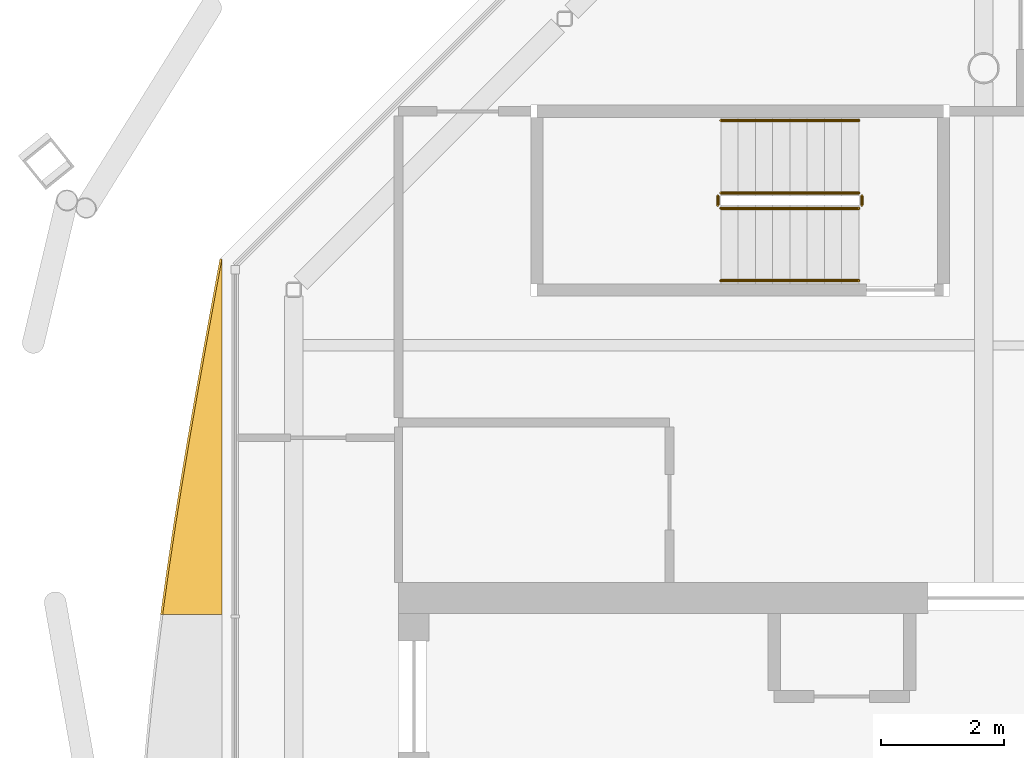
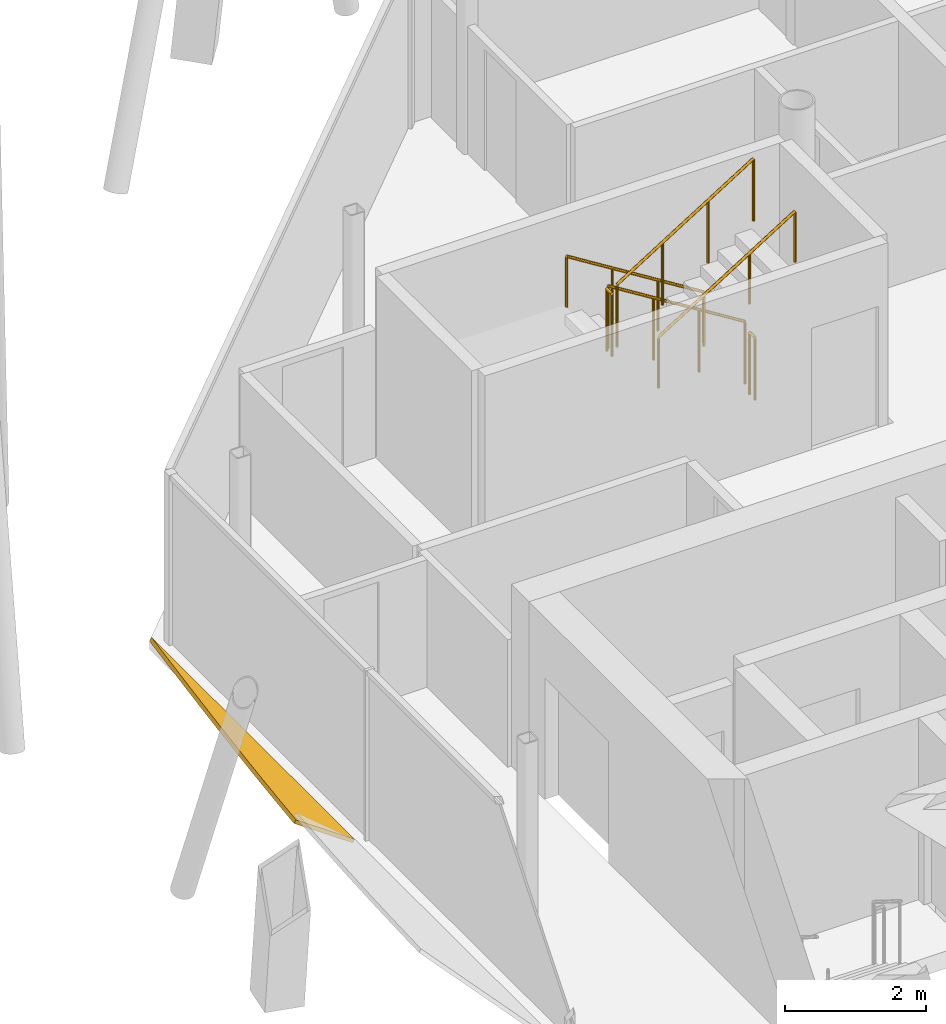
# One storey, part 13 of 14: 6 railings, 1 shading device.
"""IFC4 building model written with IfcOpenShell, lengths in metres."""

import ifcopenshell
import ifcopenshell.guid

model = None  # the IFC model being written
_history = None  # IfcOwnerHistory: only IFC2X3 demands one
_inside = {}  # id of a spatial element -> (the spatial element, [elements in it])
_under = {}  # id of a project, library or spatial element -> (it, [spatial elements below it])
_declared = {}  # id of a project -> (the project, [libraries it declares])
_typed = {}  # id of a type object -> (the type object, [elements of that type])
_made_of = {}  # id of a material, layer set ... -> (it, [elements and type objects made of it])


def new_model(schema):
    """Start an empty IFC model of exactly this schema.

    Asked for "IFC4X3", IfcOpenShell would pick the latest addendum, in which some entities
    have other attributes; the version numbers below select the first issue.
    IFC2X3 requires an IfcOwnerHistory on every rooted entity: one is made here for all.
    """
    global model, _history
    if schema == "IFC4X3":
        model = ifcopenshell.file(schema_version=(4, 3, 0, 0))
    else:
        model = ifcopenshell.file(schema=schema)
    _inside.clear()
    _under.clear()
    _declared.clear()
    _typed.clear()
    _made_of.clear()
    _history = None
    if model.schema == "IFC2X3":
        org = make("IfcOrganization", Name="unknown")
        user = make(
            "IfcPersonAndOrganization",
            ThePerson=make("IfcPerson", FamilyName="unknown"),
            TheOrganization=org,
        )
        app = make(
            "IfcApplication",
            ApplicationDeveloper=org,
            Version="unknown",
            ApplicationFullName="unknown",
            ApplicationIdentifier="unknown",
        )
        _history = make(
            "IfcOwnerHistory",
            OwningUser=user,
            OwningApplication=app,
            ChangeAction="ADDED",
            CreationDate=0,
        )
    return model


def make(cls, **values):
    """One entity of the class cls with the attributes given. An attribute that is None is left unset."""
    return model.create_entity(
        cls, **{name: value for name, value in values.items() if value is not None}
    )


def rooted(cls, **values):
    """An entity with a GlobalId (a new one), such as an element, a storey or a relation."""
    return make(cls, GlobalId=ifcopenshell.guid.new(), OwnerHistory=_history, **values)


def si_unit(unit_type, name, prefix=None):
    """IfcSIUnit, for example si_unit("LENGTHUNIT", "METRE", prefix="MILLI")."""
    return make("IfcSIUnit", UnitType=unit_type, Prefix=prefix, Name=name)


def assignment(units):
    """IfcUnitAssignment: the units of a project."""
    return None if units is None else make("IfcUnitAssignment", Units=units)


def point(xyz):
    """IfcCartesianPoint."""
    return None if xyz is None else make("IfcCartesianPoint", Coordinates=xyz)


def direction(xyz):
    """IfcDirection."""
    return None if xyz is None else make("IfcDirection", DirectionRatios=xyz)


def frame(location, z_axis=None, x_axis=None):
    """IfcAxis2Placement3D, a coordinate frame: its origin and axes. An axis left out is left unset."""
    return make(
        "IfcAxis2Placement3D",
        Location=point(location),
        Axis=direction(z_axis),
        RefDirection=direction(x_axis),
    )


def frame_2d(location, x_axis=None):
    """IfcAxis2Placement2D, a coordinate frame in the plane: its origin and x axis."""
    return make(
        "IfcAxis2Placement2D", Location=point(location), RefDirection=direction(x_axis)
    )


def origin():
    """The frame at (0, 0, 0) with its axes left unset."""
    return frame((0.0, 0.0, 0.0))


def origin_2d():
    """The frame at (0, 0) in the plane with its x axis left unset."""
    return frame_2d((0.0, 0.0))


def place(relative_to, where):
    """IfcLocalPlacement: puts the frame where relative to a parent placement (None: the world)."""
    return make(
        "IfcLocalPlacement", PlacementRelTo=relative_to, RelativePlacement=where
    )


def context(
    kind, dimensions, precision=None, world=None, true_north=None, identifier=None
):
    """IfcGeometricRepresentationContext, for example the 3D "Model" context."""
    return make(
        "IfcGeometricRepresentationContext",
        ContextIdentifier=identifier,
        ContextType=kind,
        CoordinateSpaceDimension=dimensions,
        Precision=precision,
        WorldCoordinateSystem=world,
        TrueNorth=true_north,
    )


def subcontext(parent, identifier, kind, view, scale=None):
    """IfcGeometricRepresentationSubContext, for example "Body" below "Model"."""
    return make(
        "IfcGeometricRepresentationSubContext",
        ContextIdentifier=identifier,
        ContextType=kind,
        ParentContext=parent,
        TargetScale=scale,
        TargetView=view,
    )


def project(units=None, contexts=None):
    """IfcProject with its units and contexts."""
    return rooted(
        "IfcProject",
        Name="project",
        RepresentationContexts=contexts,
        UnitsInContext=assignment(units),
    )


def spatial(cls, under=None, at=None, **own):
    """A site, building, storey or space (cls), placed at a placement, below another one or the project."""
    s = rooted(cls, ObjectPlacement=at, **own)
    if under is not None:
        _under.setdefault(under.id(), (under, []))[1].append(s)
    return s


def polyline(points):
    """IfcPolyline through the points."""
    return make("IfcPolyline", Points=[point(p) for p in points])


def profile(cls, at=None, kind="AREA", **sizes):
    """A parametric profile (cls). Its sizes go by their IFC names, for example OverallWidth=200.0."""
    return make(cls, ProfileType=kind, Position=at, **sizes)


def circle(**sizes):
    """IfcCircleProfileDef."""
    return profile("IfcCircleProfileDef", **sizes)


def outline(outer, holes=None, kind="AREA"):
    """IfcArbitraryClosedProfileDef: a profile drawn as a closed curve; with holes, ...WithVoids."""
    if holes is None:
        return make("IfcArbitraryClosedProfileDef", ProfileType=kind, OuterCurve=outer)
    return make(
        "IfcArbitraryProfileDefWithVoids",
        ProfileType=kind,
        OuterCurve=outer,
        InnerCurves=holes,
    )


def extrude(swept, where, along, depth):
    """IfcExtrudedAreaSolid: the profile swept, set in the frame where, extruded along a direction by depth."""
    return make(
        "IfcExtrudedAreaSolid",
        SweptArea=swept,
        Position=where,
        ExtrudedDirection=direction(along),
        Depth=depth,
    )


def shape(context_of_items, identifier, shape_type, items):
    """IfcShapeRepresentation: the items that make up one representation, for example the "Body"."""
    return make(
        "IfcShapeRepresentation",
        ContextOfItems=context_of_items,
        RepresentationIdentifier=identifier,
        RepresentationType=shape_type,
        Items=items,
    )


def material(Name=None, Category=None):
    """IfcMaterial."""
    return make("IfcMaterial", Name=Name, Category=Category)


def layer(
    of_material, thickness, ventilated=None, Name=None, Category=None, Priority=None
):
    """IfcMaterialLayer: one layer of a wall or slab, of a material (None: an air gap)."""
    return make(
        "IfcMaterialLayer",
        Material=of_material,
        LayerThickness=thickness,
        IsVentilated=ventilated,
        Name=Name,
        Category=Category,
        Priority=Priority,
    )


def layer_set(layers, Name=None):
    """IfcMaterialLayerSet."""
    return make("IfcMaterialLayerSet", MaterialLayers=layers, LayerSetName=Name)


def made_of(thing, what):
    """Note that an element or type object is made of a material, layer set ...; save() writes the relation."""
    if what is not None:
        _made_of.setdefault(what.id(), (what, []))[1].append(thing)
    return thing


def type_object(cls, material=None, **own):
    """A type object (cls), such as IfcWallType, which elements share."""
    return made_of(rooted(cls, **own), material)


def element(
    cls,
    number,
    at=None,
    inside=None,
    cuts=None,
    type_object=None,
    material=None,
    context=None,
    identifier="Body",
    shape_type=None,
    held_by="IfcProductDefinitionShape",
    body=None,
    shapes=None,
    **own,
):
    """One element of the class cls, such as IfcWall. Its Tag is "e" and its number.

    at: its placement. inside: the storey or other place that contains it. cuts: it is an
    opening in that element (IfcRelVoidsElement). A single representation is given by context,
    identifier, shape_type and body (its items); several are given by shapes. held_by: the class
    of the entity that holds the representations. save() writes the other relations.
    """
    e = rooted(cls, Tag="e%d" % number, ObjectPlacement=at, **own)
    if body is not None:
        shapes = [shape(context, identifier, shape_type, body)]
    if shapes is not None:
        e.Representation = make(held_by, Representations=shapes)
    if inside is not None:
        _inside.setdefault(inside.id(), (inside, []))[1].append(e)
    if cuts is not None:
        rooted(
            "IfcRelVoidsElement", RelatingBuildingElement=cuts, RelatedOpeningElement=e
        )
    if type_object is not None:
        _typed.setdefault(type_object.id(), (type_object, []))[1].append(e)
    return made_of(e, material)


def aggregate(whole, parts):
    """IfcRelAggregates: a whole, such as a stair, and the parts it consists of."""
    return rooted("IfcRelAggregates", RelatingObject=whole, RelatedObjects=parts)


def save(model, path):
    """Write the relations noted so far, then the file.

    IfcRelAggregates (storeys below a building ...), IfcRelContainedInSpatialStructure (elements
    in a storey), IfcRelDefinesByType, IfcRelAssociatesMaterial and IfcRelDeclares: one each for
    every whole, place, type object, material and project.
    """
    for whole, parts in _under.values():
        aggregate(whole, parts)
    for where, things in _inside.values():
        rooted(
            "IfcRelContainedInSpatialStructure",
            RelatedElements=things,
            RelatingStructure=where,
        )
    for kind, things in _typed.values():
        rooted("IfcRelDefinesByType", RelatedObjects=things, RelatingType=kind)
    for what, things in _made_of.values():
        rooted("IfcRelAssociatesMaterial", RelatedObjects=things, RelatingMaterial=what)
    for by, libraries in _declared.values():
        rooted("IfcRelDeclares", RelatingContext=by, RelatedDefinitions=libraries)
    model.write(path)


model = new_model("IFC4")

# Units and contexts
model_context = context("Model", 3, precision=1e-05, world=origin(), true_north=direction((0.0, 1.0)))
body_context = subcontext(model_context, "Body", "Model", "MODEL_VIEW")
ifc_project = project(units=[si_unit("LENGTHUNIT", "METRE"), si_unit("AREAUNIT", "SQUARE_METRE"), si_unit("VOLUMEUNIT", "CUBIC_METRE"), si_unit("PLANEANGLEUNIT", "RADIAN"), si_unit("MASSUNIT", "GRAM", prefix="KILO")], contexts=[model_context])

# Site, building, storey
site_placement = place(None, origin())
site = spatial("IfcSite", under=ifc_project, at=site_placement, CompositionType="ELEMENT")
building_placement = place(site_placement, origin())
building = spatial("IfcBuilding", under=site, at=building_placement, Name="Tskaro Facet Tower", CompositionType="ELEMENT")
storey_placement = place(building_placement, frame((0.0, 0.0, 287.85009765625)))
storey = spatial("IfcBuildingStorey", under=building, at=storey_placement, Name="L77", CompositionType="ELEMENT", Elevation=287.85009765625)

# Shading device
ifc_material_1 = material(Name="Bronze anodised aluminium 6063-T6", Category="aluminium")
ifc_layer = layer(ifc_material_1, 0.06005859375, Name="Bronze anodised aluminium 6063-T6")
ifc_layer_set = layer_set([ifc_layer], Name="Bronze anodised aluminium 6063-T6")
shading_device_type = type_object("IfcShadingDeviceType", Name="Bronze sun blade (FN1)", PredefinedType="USERDEFINED", material=ifc_layer_set)
shading_device_placement = place(storey_placement, frame((-12.365478515625, 5.89990234375, 0.049072265625), z_axis=(0.573434080901, 1.0882066e-05, 0.819251704144), x_axis=(6.240147e-06, -0.999999999941, 8.915151e-06)))
element("IfcShadingDevice", 1, at=shading_device_placement, inside=storey, type_object=shading_device_type, Name="Fin blade west 1", ObjectType="FIN", PredefinedType="USERDEFINED", context=body_context, shape_type="SweptSolid", body=[
    extrude(outline(polyline([(0.0, 0.0), (5.766601562158562, 0.0), (5.766601562816693, -1.1732857144683915), (5.045654296535432, -1.050760942561073), (4.3249511717461955, -0.9187557985066042), (3.6040039076347723, -0.7784903284621074), (2.8833007806633923, -0.6314446052759777), (2.162353515241339, -0.4785786484140657), (1.4416503900073954, -0.321512529279682), (0.7207031241473469, -0.1614662940299493), (0.0, 0.0)])), origin(), (0.0, 0.0, -1.0), 0.06005859375),
])

# Railings
ifc_material_2 = material(Name="Stainless steel", Category="steel")
railing_type_1 = type_object("IfcRailingType", Name="RL-GUARD-1100", PredefinedType="GUARDRAIL", material=ifc_material_2)
railing_1_placement = place(storey_placement, frame((-2.02490234375, 6.97509765625, 0.1748046875)))
element("IfcRailing", 2, at=railing_1_placement, inside=storey, type_object=railing_type_1, Name="L77 ST-3 stair guard 1", PredefinedType="GUARDRAIL", context=body_context, shape_type="SweptSolid", body=[
    extrude(circle(Radius=0.02392578125, at=origin_2d()), frame((0.0, 0.0, 1.076171875), z_axis=(-0.847972341737, 0.0, 0.530040477369), x_axis=(0.0, -1.0, 0.0)), (0.0, 0.0, 1.0), 2.6416015625),
    extrude(circle(Radius=0.02099609375, at=origin_2d()), origin(), (0.0, 0.0, 1.0), 1.052001953125),
    extrude(circle(Radius=0.02099609375, at=origin_2d()), frame((-0.74658203125, 0.0, 0.466796875)), (0.0, 0.0, 1.0), 1.052001953125),
    extrude(circle(Radius=0.02099609375, at=origin_2d()), frame((-1.493408203125, 0.0, 0.933349609375)), (0.0, 0.0, 1.0), 1.052001953125),
    extrude(circle(Radius=0.02099609375, at=origin_2d()), frame((-2.239990234375, 0.0, 1.400146484375)), (0.0, 0.0, 1.0), 1.052001953125),
])
railing_2_placement = place(storey_placement, frame((-4.31494140625, 6.925048828125, 1.574951171875)))
element("IfcRailing", 3, at=railing_2_placement, inside=storey, type_object=railing_type_1, Name="L77 ST-3 stair guard 2", PredefinedType="GUARDRAIL", context=body_context, shape_type="SweptSolid", body=[
    extrude(circle(Radius=0.02392578125, at=origin_2d()), frame((0.0, 0.0, 1.076171875), z_axis=(0.0, -1.0, 0.0), x_axis=(1.0, 0.0, 0.0)), (0.0, 0.0, 1.0), 0.150146484375),
    extrude(circle(Radius=0.02099609375, at=origin_2d()), origin(), (0.0, 0.0, 1.0), 1.052001953125),
    extrude(circle(Radius=0.02099609375, at=origin_2d()), frame((0.0, -0.150146484375, 0.0)), (0.0, 0.0, 1.0), 1.052001953125),
])
railing_3_placement = place(storey_placement, frame((-4.264892578125, 6.72509765625, 1.75)))
element("IfcRailing", 4, at=railing_3_placement, inside=storey, type_object=railing_type_1, Name="L77 ST-3 stair guard 3", PredefinedType="GUARDRAIL", context=body_context, shape_type="SweptSolid", body=[
    extrude(circle(Radius=0.02392578125, at=origin_2d()), frame((0.0, 0.0, 1.076171875), z_axis=(0.848013881152, 0.0, 0.529974015752), x_axis=(0.0, 1.0, 0.0)), (0.0, 0.0, 1.0), 2.641357421875),
    extrude(circle(Radius=0.02099609375, at=origin_2d()), origin(), (0.0, 0.0, 1.0), 1.052001953125),
    extrude(circle(Radius=0.02099609375, at=origin_2d()), frame((0.74658203125, 0.0, 0.466552734375)), (0.0, 0.0, 1.0), 1.052001953125),
    extrude(circle(Radius=0.02099609375, at=origin_2d()), frame((1.493408203125, 0.0, 0.933349609375)), (0.0, 0.0, 1.0), 1.052001953125),
    extrude(circle(Radius=0.02099609375, at=origin_2d()), frame((2.239990234375, 0.0, 1.39990234375)), (0.0, 0.0, 1.0), 1.052001953125),
])
railing_4_placement = place(storey_placement, frame((-1.97509765625, 6.925048828125, 0.0)))
element("IfcRailing", 5, at=railing_4_placement, inside=storey, type_object=railing_type_1, Name="L77 ST-3 stair guard 4", PredefinedType="GUARDRAIL", context=body_context, shape_type="SweptSolid", body=[
    extrude(circle(Radius=0.02392578125, at=origin_2d()), frame((0.0, 0.0, 1.076171875), z_axis=(0.0, -1.0, 0.0), x_axis=(1.0, 0.0, 0.0)), (0.0, 0.0, 1.0), 0.150146484375),
    extrude(circle(Radius=0.02099609375, at=origin_2d()), origin(), (0.0, 0.0, 1.0), 1.052001953125),
    extrude(circle(Radius=0.02099609375, at=origin_2d()), frame((0.0, -0.150146484375, 0.0)), (0.0, 0.0, 1.0), 1.052001953125),
])
railing_type_2 = type_object("IfcRailingType", Name="RL-HANDRAIL-900", PredefinedType="HANDRAIL", material=ifc_material_2)
railing_5_placement = place(storey_placement, frame((-2.02490234375, 8.14990234375, 0.1748046875)))
element("IfcRailing", 6, at=railing_5_placement, inside=storey, type_object=railing_type_2, Name="L77 ST-3 stair handrail 1", PredefinedType="HANDRAIL", context=body_context, shape_type="SweptSolid", body=[
    extrude(circle(Radius=0.02392578125, at=origin_2d()), frame((0.0, 0.0, 0.8759765625), z_axis=(-0.847972341737, 0.0, 0.530040477369), x_axis=(0.0, -1.0, 0.0)), (0.0, 0.0, 1.0), 2.6416015625),
    extrude(circle(Radius=0.02099609375, at=origin_2d()), origin(), (0.0, 0.0, 1.0), 0.851806640625),
    extrude(circle(Radius=0.02099609375, at=origin_2d()), frame((-0.74658203125, 0.0, 0.466796875)), (0.0, 0.0, 1.0), 0.851806640625),
    extrude(circle(Radius=0.02099609375, at=origin_2d()), frame((-1.493408203125, 0.0, 0.933349609375)), (0.0, 0.0, 1.0), 0.851806640625),
    extrude(circle(Radius=0.02099609375, at=origin_2d()), frame((-2.239990234375, 0.0, 1.400146484375)), (0.0, 0.0, 1.0), 0.851806640625),
])
railing_6_placement = place(storey_placement, frame((-4.264892578125, 5.550048828125, 1.75)))
element("IfcRailing", 7, at=railing_6_placement, inside=storey, type_object=railing_type_2, Name="L77 ST-3 stair handrail 2", PredefinedType="HANDRAIL", context=body_context, shape_type="SweptSolid", body=[
    extrude(circle(Radius=0.02392578125, at=origin_2d()), frame((0.0, 0.0, 0.8759765625), z_axis=(0.848013881152, 0.0, 0.529974015752), x_axis=(0.0, 1.0, 0.0)), (0.0, 0.0, 1.0), 2.641357421875),
    extrude(circle(Radius=0.02099609375, at=origin_2d()), origin(), (0.0, 0.0, 1.0), 0.851806640625),
    extrude(circle(Radius=0.02099609375, at=origin_2d()), frame((0.74658203125, 0.0, 0.466552734375)), (0.0, 0.0, 1.0), 0.851806640625),
    extrude(circle(Radius=0.02099609375, at=origin_2d()), frame((1.493408203125, 0.0, 0.933349609375)), (0.0, 0.0, 1.0), 0.851806640625),
    extrude(circle(Radius=0.02099609375, at=origin_2d()), frame((2.239990234375, 0.0, 1.39990234375)), (0.0, 0.0, 1.0), 0.851806640625),
])

save(model, "model.ifc")
